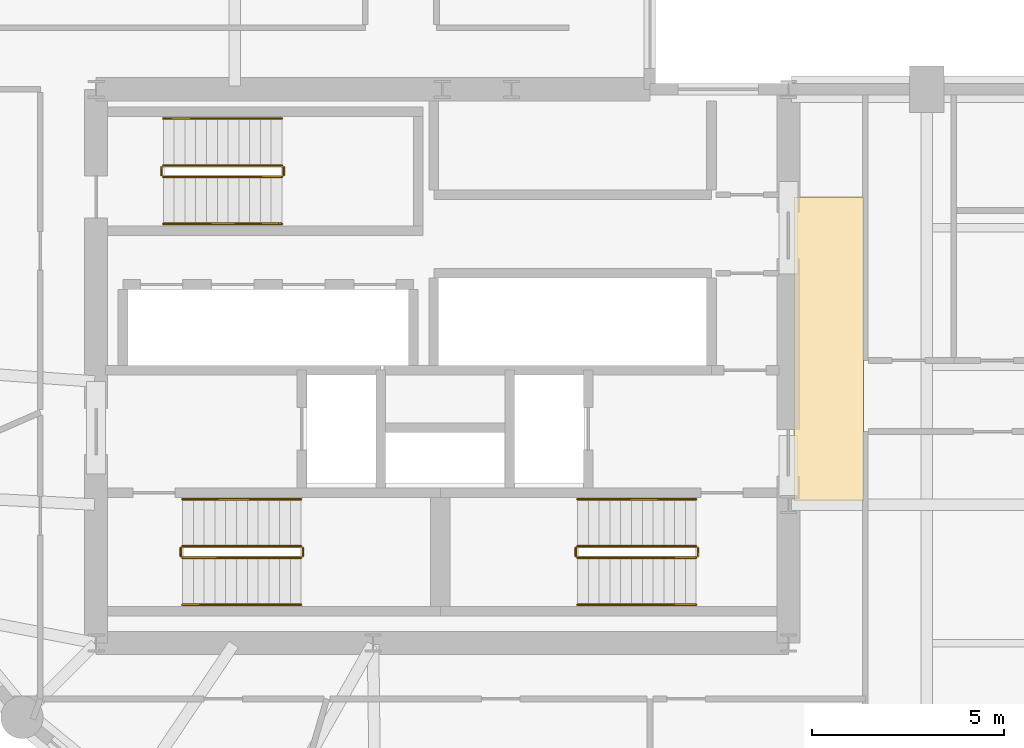
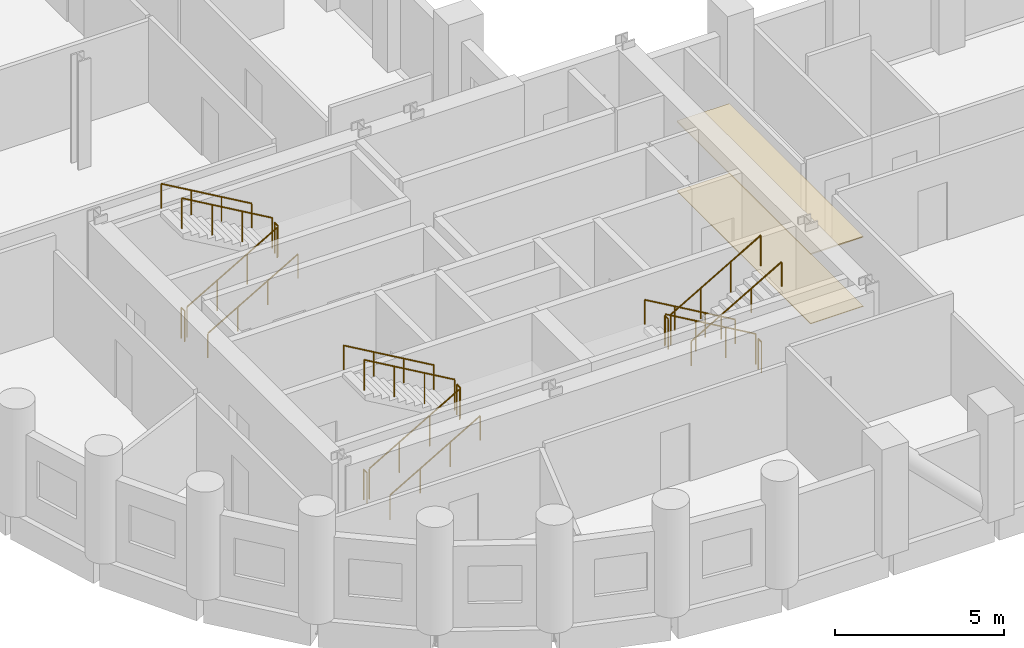
# One storey, part 8 of 8: 18 railings, 2 coverings.
"""IFC4 building model written with IfcOpenShell, lengths in metres."""

from ifc_helpers import new_model, si_unit, direction, frame, origin, origin_2d, place, context, subcontext, project, spatial, polyline, circle, outline, extrude, material, layer, layer_set, type_object, element, save


model = new_model("IFC4")

# Units and contexts
model_context = context("Model", 3, precision=1e-05, world=origin(), true_north=direction((0.0, 1.0)))
body_context = subcontext(model_context, "Body", "Model", "MODEL_VIEW")
ifc_project = project(units=[si_unit("LENGTHUNIT", "METRE"), si_unit("AREAUNIT", "SQUARE_METRE"), si_unit("VOLUMEUNIT", "CUBIC_METRE"), si_unit("PLANEANGLEUNIT", "RADIAN"), si_unit("MASSUNIT", "GRAM", prefix="KILO")], contexts=[model_context])

# Site, building, storey
site_placement = place(None, origin())
site = spatial("IfcSite", under=ifc_project, at=site_placement, CompositionType="ELEMENT")
building_placement = place(site_placement, origin())
building = spatial("IfcBuilding", under=site, at=building_placement, Name="Solnavia Interchange Tower", CompositionType="ELEMENT")
storey_placement = place(building_placement, frame((0.0, 0.0, 35.699951171875)))
storey = spatial("IfcBuildingStorey", under=building, at=storey_placement, Name="L08", CompositionType="ELEMENT", Elevation=35.699951171875)

# Coverings
ifc_material_1 = material(Name="Perforated Mineral-Fibre & Gypsum Ceiling", Category="gypsum")
ifc_layer_1 = layer(ifc_material_1, 0.0400390625)
ifc_layer_set_1 = layer_set([ifc_layer_1], Name="Perforated Mineral-Fibre & Gypsum Ceiling")
covering_type_1 = type_object("IfcCoveringType", Name="Covering-Ceiling-Acoustic40", PredefinedType="CEILING", material=ifc_layer_set_1)
covering_1_placement = place(storey_placement, frame((0.0, 0.0, 2.5)))
element("IfcCovering", 1, at=covering_1_placement, inside=storey, type_object=covering_type_1, Name="CLG-L08-01 Circulation suspended acoustic ceiling", PredefinedType="CEILING", context=body_context, shape_type="SweptSolid", body=[
    extrude(outline(polyline([(32.550048828125, 14.5), (34.35009765625, 14.5), (34.35009765625, 22.39990234375), (32.550048828125, 22.39990234375), (32.550048828125, 14.5)])), origin(), (0.0, 0.0, 1.0), 0.0400390625),
])
ifc_material_2 = material(Name="Polished Alicante Stone Terrazzo", Category="masonry")
ifc_layer_2 = layer(ifc_material_2, 0.02490234375)
ifc_layer_set_2 = layer_set([ifc_layer_2], Name="Polished Alicante Stone Terrazzo")
covering_type_2 = type_object("IfcCoveringType", Name="Covering-Flooring-Terrazzo25", PredefinedType="FLOORING", material=ifc_layer_set_2)
covering_2_placement = place(storey_placement, origin())
element("IfcCovering", 2, at=covering_2_placement, inside=storey, type_object=covering_type_2, Name="FLR-L08-01 Circulation floor finish", PredefinedType="FLOORING", context=body_context, shape_type="SweptSolid", body=[
    extrude(outline(polyline([(32.550048828125, 14.5), (34.35009765625, 14.5), (34.35009765625, 22.39990234375), (32.550048828125, 22.39990234375), (32.550048828125, 14.5)])), origin(), (0.0, 0.0, 1.0), 0.025146484375),
])

# Railings
ifc_material_3 = material(Name="Painted Steel Balustrade", Category="steel")
railing_type_1 = type_object("IfcRailingType", Name="Railing-StairGuard-1100", PredefinedType="GUARDRAIL", material=ifc_material_3)
railing_1_placement = place(storey_placement, frame((16.64990234375, 13.02001953125, 0.16259765625)))
element("IfcRailing", 3, at=railing_1_placement, inside=storey, type_object=railing_type_1, Name="L08 ST-1 stair guard 1", PredefinedType="GUARDRAIL", context=body_context, shape_type="SweptSolid", body=[
    extrude(circle(Radius=0.02392578125, at=origin_2d()), frame((0.0, 0.0, 1.09619140625), z_axis=(0.864920483161, 0.0, 0.501908913857), x_axis=(0.0, 1.0, 0.0)), (0.0, 0.0, 1.0), 3.56103515625),
    extrude(circle(Radius=0.02099609375, at=origin_2d()), origin(), (0.0, 0.0, 1.0), 1.072021484375),
    extrude(circle(Radius=0.02099609375, at=origin_2d()), frame((1.026611328125, 0.0, 0.595703125)), (0.0, 0.0, 1.0), 1.072021484375),
    extrude(circle(Radius=0.02099609375, at=origin_2d()), frame((2.053466796875, 0.0, 1.191650390625)), (0.0, 0.0, 1.0), 1.072021484375),
    extrude(circle(Radius=0.02099609375, at=origin_2d()), frame((3.080078125, 0.0, 1.787353515625)), (0.0, 0.0, 1.0), 1.072021484375),
])
railing_2_placement = place(storey_placement, frame((19.780029296875, 13.070068359375, 1.949951171875)))
element("IfcRailing", 4, at=railing_2_placement, inside=storey, type_object=railing_type_1, Name="L08 ST-1 stair guard 2", PredefinedType="GUARDRAIL", context=body_context, shape_type="SweptSolid", body=[
    extrude(circle(Radius=0.02392578125, at=origin_2d()), frame((0.0, 0.0, 1.09619140625), z_axis=(0.0, 1.0, 0.0), x_axis=(-1.0, 0.0, 0.0)), (0.0, 0.0, 1.0), 0.199951171875),
    extrude(circle(Radius=0.02099609375, at=origin_2d()), origin(), (0.0, 0.0, 1.0), 1.072021484375),
    extrude(circle(Radius=0.02099609375, at=origin_2d()), frame((0.0, 0.199951171875, 0.0)), (0.0, 0.0, 1.0), 1.072021484375),
])
railing_3_placement = place(storey_placement, frame((19.72998046875, 13.320068359375, 2.112548828125)))
element("IfcRailing", 5, at=railing_3_placement, inside=storey, type_object=railing_type_1, Name="L08 ST-1 stair guard 3", PredefinedType="GUARDRAIL", context=body_context, shape_type="SweptSolid", body=[
    extrude(circle(Radius=0.02392578125, at=origin_2d()), frame((0.0, 0.0, 1.09619140625), z_axis=(-0.864890721111, 0.0, 0.501960198159), x_axis=(0.0, -1.0, 0.0)), (0.0, 0.0, 1.0), 3.561279296875),
    extrude(circle(Radius=0.02099609375, at=origin_2d()), origin(), (0.0, 0.0, 1.0), 1.072021484375),
    extrude(circle(Radius=0.02099609375, at=origin_2d()), frame((-1.026611328125, 0.0, 0.595947265625)), (0.0, 0.0, 1.0), 1.072021484375),
    extrude(circle(Radius=0.02099609375, at=origin_2d()), frame((-2.053466796875, 0.0, 1.191650390625)), (0.0, 0.0, 1.0), 1.072021484375),
    extrude(circle(Radius=0.02099609375, at=origin_2d()), frame((-3.080078125, 0.0, 1.78759765625)), (0.0, 0.0, 1.0), 1.072021484375),
])
railing_4_placement = place(storey_placement, frame((16.60009765625, 13.070068359375, 0.0)))
element("IfcRailing", 6, at=railing_4_placement, inside=storey, type_object=railing_type_1, Name="L08 ST-1 stair guard 4", PredefinedType="GUARDRAIL", context=body_context, shape_type="SweptSolid", body=[
    extrude(circle(Radius=0.02392578125, at=origin_2d()), frame((0.0, 0.0, 1.09619140625), z_axis=(0.0, 1.0, 0.0), x_axis=(-1.0, 0.0, 0.0)), (0.0, 0.0, 1.0), 0.199951171875),
    extrude(circle(Radius=0.02099609375, at=origin_2d()), origin(), (0.0, 0.0, 1.0), 1.072021484375),
    extrude(circle(Radius=0.02099609375, at=origin_2d()), frame((0.0, 0.199951171875, 0.0)), (0.0, 0.0, 1.0), 1.072021484375),
])
railing_5_placement = place(storey_placement, frame((30.0, 13.320068359375, 0.16259765625)))
element("IfcRailing", 7, at=railing_5_placement, inside=storey, type_object=railing_type_1, Name="L08 ST-2 stair guard 1", PredefinedType="GUARDRAIL", context=body_context, shape_type="SweptSolid", body=[
    extrude(circle(Radius=0.02392578125, at=origin_2d()), frame((0.0, 0.0, 1.09619140625), z_axis=(-0.864920483161, 0.0, 0.501908913857), x_axis=(0.0, -1.0, 0.0)), (0.0, 0.0, 1.0), 3.56103515625),
    extrude(circle(Radius=0.02099609375, at=origin_2d()), origin(), (0.0, 0.0, 1.0), 1.072021484375),
    extrude(circle(Radius=0.02099609375, at=origin_2d()), frame((-1.026611328125, 0.0, 0.595703125)), (0.0, 0.0, 1.0), 1.072021484375),
    extrude(circle(Radius=0.02099609375, at=origin_2d()), frame((-2.053466796875, 0.0, 1.191650390625)), (0.0, 0.0, 1.0), 1.072021484375),
    extrude(circle(Radius=0.02099609375, at=origin_2d()), frame((-3.080078125, 0.0, 1.787353515625)), (0.0, 0.0, 1.0), 1.072021484375),
])
railing_6_placement = place(storey_placement, frame((26.8701171875, 13.27001953125, 1.949951171875)))
element("IfcRailing", 8, at=railing_6_placement, inside=storey, type_object=railing_type_1, Name="L08 ST-2 stair guard 2", PredefinedType="GUARDRAIL", context=body_context, shape_type="SweptSolid", body=[
    extrude(circle(Radius=0.02392578125, at=origin_2d()), frame((0.0, 0.0, 1.09619140625), z_axis=(0.0, -1.0, 0.0), x_axis=(1.0, 0.0, 0.0)), (0.0, 0.0, 1.0), 0.199951171875),
    extrude(circle(Radius=0.02099609375, at=origin_2d()), origin(), (0.0, 0.0, 1.0), 1.072021484375),
    extrude(circle(Radius=0.02099609375, at=origin_2d()), frame((0.0, -0.199951171875, 0.0)), (0.0, 0.0, 1.0), 1.072021484375),
])
railing_7_placement = place(storey_placement, frame((26.919921875, 13.02001953125, 2.112548828125)))
element("IfcRailing", 9, at=railing_7_placement, inside=storey, type_object=railing_type_1, Name="L08 ST-2 stair guard 3", PredefinedType="GUARDRAIL", context=body_context, shape_type="SweptSolid", body=[
    extrude(circle(Radius=0.02392578125, at=origin_2d()), frame((0.0, 0.0, 1.09619140625), z_axis=(0.864890721111, 0.0, 0.501960198159), x_axis=(0.0, 1.0, 0.0)), (0.0, 0.0, 1.0), 3.561279296875),
    extrude(circle(Radius=0.02099609375, at=origin_2d()), origin(), (0.0, 0.0, 1.0), 1.072021484375),
    extrude(circle(Radius=0.02099609375, at=origin_2d()), frame((1.026611328125, 0.0, 0.595947265625)), (0.0, 0.0, 1.0), 1.072021484375),
    extrude(circle(Radius=0.02099609375, at=origin_2d()), frame((2.053466796875, 0.0, 1.191650390625)), (0.0, 0.0, 1.0), 1.072021484375),
    extrude(circle(Radius=0.02099609375, at=origin_2d()), frame((3.080078125, 0.0, 1.78759765625)), (0.0, 0.0, 1.0), 1.072021484375),
])
railing_8_placement = place(storey_placement, frame((30.050048828125, 13.27001953125, 0.0)))
element("IfcRailing", 10, at=railing_8_placement, inside=storey, type_object=railing_type_1, Name="L08 ST-2 stair guard 4", PredefinedType="GUARDRAIL", context=body_context, shape_type="SweptSolid", body=[
    extrude(circle(Radius=0.02392578125, at=origin_2d()), frame((0.0, 0.0, 1.09619140625), z_axis=(0.0, -1.0, 0.0), x_axis=(1.0, 0.0, 0.0)), (0.0, 0.0, 1.0), 0.199951171875),
    extrude(circle(Radius=0.02099609375, at=origin_2d()), origin(), (0.0, 0.0, 1.0), 1.072021484375),
    extrude(circle(Radius=0.02099609375, at=origin_2d()), frame((0.0, -0.199951171875, 0.0)), (0.0, 0.0, 1.0), 1.072021484375),
])
railing_9_placement = place(storey_placement, frame((16.14990234375, 22.919921875, 0.16259765625)))
element("IfcRailing", 11, at=railing_9_placement, inside=storey, type_object=railing_type_1, Name="L08 ST-3 stair guard 1", PredefinedType="GUARDRAIL", context=body_context, shape_type="SweptSolid", body=[
    extrude(circle(Radius=0.02392578125, at=origin_2d()), frame((0.0, 0.0, 1.09619140625), z_axis=(0.864920483161, 0.0, 0.501908913857), x_axis=(0.0, 1.0, 0.0)), (0.0, 0.0, 1.0), 3.56103515625),
    extrude(circle(Radius=0.02099609375, at=origin_2d()), origin(), (0.0, 0.0, 1.0), 1.072021484375),
    extrude(circle(Radius=0.02099609375, at=origin_2d()), frame((1.026611328125, 0.0, 0.595703125)), (0.0, 0.0, 1.0), 1.072021484375),
    extrude(circle(Radius=0.02099609375, at=origin_2d()), frame((2.053466796875, 0.0, 1.191650390625)), (0.0, 0.0, 1.0), 1.072021484375),
    extrude(circle(Radius=0.02099609375, at=origin_2d()), frame((3.080078125, 0.0, 1.787353515625)), (0.0, 0.0, 1.0), 1.072021484375),
])
railing_10_placement = place(storey_placement, frame((19.280029296875, 22.969970703125, 1.949951171875)))
element("IfcRailing", 12, at=railing_10_placement, inside=storey, type_object=railing_type_1, Name="L08 ST-3 stair guard 2", PredefinedType="GUARDRAIL", context=body_context, shape_type="SweptSolid", body=[
    extrude(circle(Radius=0.02392578125, at=origin_2d()), frame((0.0, 0.0, 1.09619140625), z_axis=(0.0, 1.0, 0.0), x_axis=(-1.0, 0.0, 0.0)), (0.0, 0.0, 1.0), 0.199951171875),
    extrude(circle(Radius=0.02099609375, at=origin_2d()), origin(), (0.0, 0.0, 1.0), 1.072021484375),
    extrude(circle(Radius=0.02099609375, at=origin_2d()), frame((0.0, 0.199951171875, 0.0)), (0.0, 0.0, 1.0), 1.072021484375),
])
railing_11_placement = place(storey_placement, frame((19.22998046875, 23.219970703125, 2.112548828125)))
element("IfcRailing", 13, at=railing_11_placement, inside=storey, type_object=railing_type_1, Name="L08 ST-3 stair guard 3", PredefinedType="GUARDRAIL", context=body_context, shape_type="SweptSolid", body=[
    extrude(circle(Radius=0.02392578125, at=origin_2d()), frame((0.0, 0.0, 1.09619140625), z_axis=(-0.864890721111, 0.0, 0.501960198159), x_axis=(0.0, -1.0, 0.0)), (0.0, 0.0, 1.0), 3.561279296875),
    extrude(circle(Radius=0.02099609375, at=origin_2d()), origin(), (0.0, 0.0, 1.0), 1.072021484375),
    extrude(circle(Radius=0.02099609375, at=origin_2d()), frame((-1.026611328125, 0.0, 0.595947265625)), (0.0, 0.0, 1.0), 1.072021484375),
    extrude(circle(Radius=0.02099609375, at=origin_2d()), frame((-2.053466796875, 0.0, 1.191650390625)), (0.0, 0.0, 1.0), 1.072021484375),
    extrude(circle(Radius=0.02099609375, at=origin_2d()), frame((-3.080078125, 0.0, 1.78759765625)), (0.0, 0.0, 1.0), 1.072021484375),
])
railing_12_placement = place(storey_placement, frame((16.10009765625, 22.969970703125, 0.0)))
element("IfcRailing", 14, at=railing_12_placement, inside=storey, type_object=railing_type_1, Name="L08 ST-3 stair guard 4", PredefinedType="GUARDRAIL", context=body_context, shape_type="SweptSolid", body=[
    extrude(circle(Radius=0.02392578125, at=origin_2d()), frame((0.0, 0.0, 1.09619140625), z_axis=(0.0, 1.0, 0.0), x_axis=(-1.0, 0.0, 0.0)), (0.0, 0.0, 1.0), 0.199951171875),
    extrude(circle(Radius=0.02099609375, at=origin_2d()), origin(), (0.0, 0.0, 1.0), 1.072021484375),
    extrude(circle(Radius=0.02099609375, at=origin_2d()), frame((0.0, 0.199951171875, 0.0)), (0.0, 0.0, 1.0), 1.072021484375),
])
ifc_material_4 = material(Name="Brushed Stainless Steel", Category="steel")
railing_type_2 = type_object("IfcRailingType", Name="Railing-StairHandrail-900", PredefinedType="HANDRAIL", material=ifc_material_4)
railing_13_placement = place(storey_placement, frame((16.64990234375, 11.800048828125, 0.16259765625)))
element("IfcRailing", 15, at=railing_13_placement, inside=storey, type_object=railing_type_2, Name="L08 ST-1 stair handrail 1", PredefinedType="HANDRAIL", context=body_context, shape_type="SweptSolid", body=[
    extrude(circle(Radius=0.02392578125, at=origin_2d()), frame((0.0, 0.0, 0.8759765625), z_axis=(0.864920483161, 0.0, 0.501908913857), x_axis=(0.0, 1.0, 0.0)), (0.0, 0.0, 1.0), 3.56103515625),
    extrude(circle(Radius=0.02099609375, at=origin_2d()), origin(), (0.0, 0.0, 1.0), 0.851806640625),
    extrude(circle(Radius=0.02099609375, at=origin_2d()), frame((1.026611328125, 0.0, 0.595703125)), (0.0, 0.0, 1.0), 0.851806640625),
    extrude(circle(Radius=0.02099609375, at=origin_2d()), frame((2.053466796875, 0.0, 1.191650390625)), (0.0, 0.0, 1.0), 0.851806640625),
    extrude(circle(Radius=0.02099609375, at=origin_2d()), frame((3.080078125, 0.0, 1.787353515625)), (0.0, 0.0, 1.0), 0.851806640625),
])
railing_14_placement = place(storey_placement, frame((19.72998046875, 14.5400390625, 2.112548828125)))
element("IfcRailing", 16, at=railing_14_placement, inside=storey, type_object=railing_type_2, Name="L08 ST-1 stair handrail 2", PredefinedType="HANDRAIL", context=body_context, shape_type="SweptSolid", body=[
    extrude(circle(Radius=0.02392578125, at=origin_2d()), frame((0.0, 0.0, 0.8759765625), z_axis=(-0.864890721111, 0.0, 0.501960198159), x_axis=(0.0, -1.0, 0.0)), (0.0, 0.0, 1.0), 3.561279296875),
    extrude(circle(Radius=0.02099609375, at=origin_2d()), origin(), (0.0, 0.0, 1.0), 0.851806640625),
    extrude(circle(Radius=0.02099609375, at=origin_2d()), frame((-1.026611328125, 0.0, 0.595947265625)), (0.0, 0.0, 1.0), 0.851806640625),
    extrude(circle(Radius=0.02099609375, at=origin_2d()), frame((-2.053466796875, 0.0, 1.191650390625)), (0.0, 0.0, 1.0), 0.851806640625),
    extrude(circle(Radius=0.02099609375, at=origin_2d()), frame((-3.080078125, 0.0, 1.78759765625)), (0.0, 0.0, 1.0), 0.851806640625),
])
railing_15_placement = place(storey_placement, frame((30.0, 14.5400390625, 0.16259765625)))
element("IfcRailing", 17, at=railing_15_placement, inside=storey, type_object=railing_type_2, Name="L08 ST-2 stair handrail 1", PredefinedType="HANDRAIL", context=body_context, shape_type="SweptSolid", body=[
    extrude(circle(Radius=0.02392578125, at=origin_2d()), frame((0.0, 0.0, 0.8759765625), z_axis=(-0.864920483161, 0.0, 0.501908913857), x_axis=(0.0, -1.0, 0.0)), (0.0, 0.0, 1.0), 3.56103515625),
    extrude(circle(Radius=0.02099609375, at=origin_2d()), origin(), (0.0, 0.0, 1.0), 0.851806640625),
    extrude(circle(Radius=0.02099609375, at=origin_2d()), frame((-1.026611328125, 0.0, 0.595703125)), (0.0, 0.0, 1.0), 0.851806640625),
    extrude(circle(Radius=0.02099609375, at=origin_2d()), frame((-2.053466796875, 0.0, 1.191650390625)), (0.0, 0.0, 1.0), 0.851806640625),
    extrude(circle(Radius=0.02099609375, at=origin_2d()), frame((-3.080078125, 0.0, 1.787353515625)), (0.0, 0.0, 1.0), 0.851806640625),
])
railing_16_placement = place(storey_placement, frame((26.919921875, 11.800048828125, 2.112548828125)))
element("IfcRailing", 18, at=railing_16_placement, inside=storey, type_object=railing_type_2, Name="L08 ST-2 stair handrail 2", PredefinedType="HANDRAIL", context=body_context, shape_type="SweptSolid", body=[
    extrude(circle(Radius=0.02392578125, at=origin_2d()), frame((0.0, 0.0, 0.8759765625), z_axis=(0.864890721111, 0.0, 0.501960198159), x_axis=(0.0, 1.0, 0.0)), (0.0, 0.0, 1.0), 3.561279296875),
    extrude(circle(Radius=0.02099609375, at=origin_2d()), origin(), (0.0, 0.0, 1.0), 0.851806640625),
    extrude(circle(Radius=0.02099609375, at=origin_2d()), frame((1.026611328125, 0.0, 0.595947265625)), (0.0, 0.0, 1.0), 0.851806640625),
    extrude(circle(Radius=0.02099609375, at=origin_2d()), frame((2.053466796875, 0.0, 1.191650390625)), (0.0, 0.0, 1.0), 0.851806640625),
    extrude(circle(Radius=0.02099609375, at=origin_2d()), frame((3.080078125, 0.0, 1.78759765625)), (0.0, 0.0, 1.0), 0.851806640625),
])
railing_17_placement = place(storey_placement, frame((16.14990234375, 21.699951171875, 0.16259765625)))
element("IfcRailing", 19, at=railing_17_placement, inside=storey, type_object=railing_type_2, Name="L08 ST-3 stair handrail 1", PredefinedType="HANDRAIL", context=body_context, shape_type="SweptSolid", body=[
    extrude(circle(Radius=0.02392578125, at=origin_2d()), frame((0.0, 0.0, 0.8759765625), z_axis=(0.864920483161, 0.0, 0.501908913857), x_axis=(0.0, 1.0, 0.0)), (0.0, 0.0, 1.0), 3.56103515625),
    extrude(circle(Radius=0.02099609375, at=origin_2d()), origin(), (0.0, 0.0, 1.0), 0.851806640625),
    extrude(circle(Radius=0.02099609375, at=origin_2d()), frame((1.026611328125, 0.0, 0.595703125)), (0.0, 0.0, 1.0), 0.851806640625),
    extrude(circle(Radius=0.02099609375, at=origin_2d()), frame((2.053466796875, 0.0, 1.191650390625)), (0.0, 0.0, 1.0), 0.851806640625),
    extrude(circle(Radius=0.02099609375, at=origin_2d()), frame((3.080078125, 0.0, 1.787353515625)), (0.0, 0.0, 1.0), 0.851806640625),
])
railing_18_placement = place(storey_placement, frame((19.22998046875, 24.43994140625, 2.112548828125)))
element("IfcRailing", 20, at=railing_18_placement, inside=storey, type_object=railing_type_2, Name="L08 ST-3 stair handrail 2", PredefinedType="HANDRAIL", context=body_context, shape_type="SweptSolid", body=[
    extrude(circle(Radius=0.02392578125, at=origin_2d()), frame((0.0, 0.0, 0.8759765625), z_axis=(-0.864890721111, 0.0, 0.501960198159), x_axis=(0.0, -1.0, 0.0)), (0.0, 0.0, 1.0), 3.561279296875),
    extrude(circle(Radius=0.02099609375, at=origin_2d()), origin(), (0.0, 0.0, 1.0), 0.851806640625),
    extrude(circle(Radius=0.02099609375, at=origin_2d()), frame((-1.026611328125, 0.0, 0.595947265625)), (0.0, 0.0, 1.0), 0.851806640625),
    extrude(circle(Radius=0.02099609375, at=origin_2d()), frame((-2.053466796875, 0.0, 1.191650390625)), (0.0, 0.0, 1.0), 0.851806640625),
    extrude(circle(Radius=0.02099609375, at=origin_2d()), frame((-3.080078125, 0.0, 1.78759765625)), (0.0, 0.0, 1.0), 0.851806640625),
])

save(model, "model.ifc")
